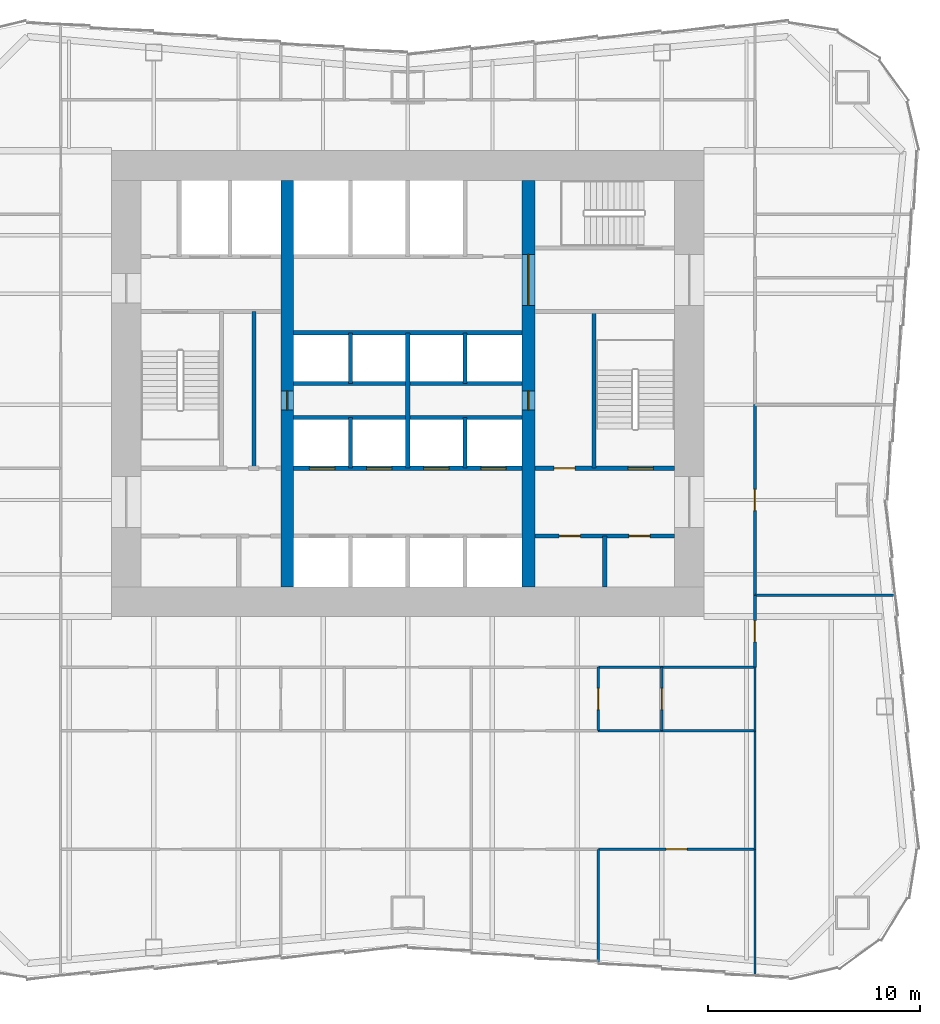
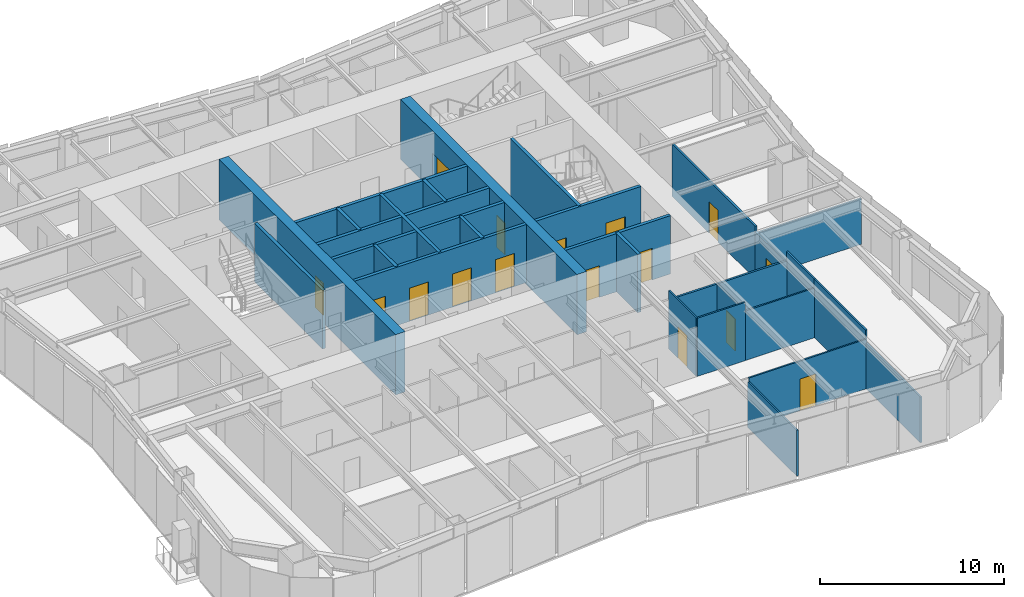
# One storey, part 5 of 9: 30 walls, 16 doors, 16 openings.
"""IFC4 building model written with IfcOpenShell, lengths in metres."""

from ifc_helpers import new_model, si_unit, direction, frame, frame_2d, origin, place, context, subcontext, project, spatial, rectangle, extrude, material, layer, layer_set, type_object, element, fill, save


model = new_model("IFC4")

# Units and contexts
model_context = context("Model", 3, precision=1e-05, world=origin(), true_north=direction((0.0, 1.0)))
body_context = subcontext(model_context, "Body", "Model", "MODEL_VIEW")
ifc_project = project(units=[si_unit("LENGTHUNIT", "METRE"), si_unit("AREAUNIT", "SQUARE_METRE"), si_unit("VOLUMEUNIT", "CUBIC_METRE"), si_unit("PLANEANGLEUNIT", "RADIAN"), si_unit("MASSUNIT", "GRAM", prefix="KILO")], contexts=[model_context])

# Site, building, storey
site_placement = place(None, origin())
site = spatial("IfcSite", under=ifc_project, at=site_placement, CompositionType="ELEMENT")
building_placement = place(site_placement, origin())
building = spatial("IfcBuilding", under=site, at=building_placement, Name="Verdant Reach Tower", CompositionType="ELEMENT")
storey_placement = place(building_placement, frame((0.0, 0.0, 34.0)))
storey = spatial("IfcBuildingStorey", under=building, at=storey_placement, Name="L07", CompositionType="ELEMENT", Elevation=34.0)

# Wall, openings, doors
ifc_material_1 = material(Name="Gypsum board on steel studs", Category="steel")
ifc_layer_1 = layer(ifc_material_1, 0.199951171875)
ifc_layer_set_1 = layer_set([ifc_layer_1], Name="CO-WALL-ROOM")
wall_type_1 = type_object("IfcWallType", Name="CO-WALL-ROOM", PredefinedType="PARTITIONING", material=ifc_layer_set_1)
wall_1_placement = place(storey_placement, frame((6.0, 20.800048828125, 0.0), z_axis=(0.0, 0.0, 1.0), x_axis=(1.0, 0.0, 0.0)))
wall_1 = element("IfcWall", 1, at=wall_1_placement, inside=storey, type_object=wall_type_1, Name="Core partition, L07", PredefinedType="PARTITIONING", context=body_context, shape_type="SweptSolid", body=[
    extrude(rectangle(XDim=6.60009765625, YDim=0.199951171875, at=frame_2d((3.300048828125, 0.0))), origin(), (0.0, 0.0, 1.0), 3.8701171875),
])
opening_1_placement = place(wall_1_placement, frame((1.14990234375, 0.0, 0.0)))
opening_1 = element("IfcOpeningElement", 2, at=opening_1_placement, cuts=wall_1, Name="Opening CD", PredefinedType="OPENING", context=body_context, shape_type="SweptSolid", body=[
    extrude(rectangle(XDim=1.0, YDim=2.10009765625, at=frame_2d((0.5, 1.050048828125))), frame((0.0, 0.10986328125, 0.0), z_axis=(0.0, -1.0, 0.0), x_axis=(1.0, 0.0, 0.0)), (0.0, 0.0, 1.0), 0.219970703125),
])
opening_2_placement = place(wall_1_placement, frame((4.449951171875, 0.0, 0.0)))
opening_2 = element("IfcOpeningElement", 3, at=opening_2_placement, cuts=wall_1, Name="Opening CD", PredefinedType="OPENING", context=body_context, shape_type="SweptSolid", body=[
    extrude(rectangle(XDim=1.0, YDim=2.10009765625, at=frame_2d((0.5, 1.050048828125))), frame((0.0, 0.10986328125, 0.0), z_axis=(0.0, -1.0, 0.0), x_axis=(1.0, 0.0, 0.0)), (0.0, 0.0, 1.0), 0.219970703125),
])
ifc_material_2 = material(Name="Timber", Category="wood")
door_type_1 = type_object("IfcDoorType", Name="CO-DOOR-ROOM", OperationType="NOTDEFINED", PredefinedType="DOOR", material=ifc_material_2)
door_1_placement = place(opening_1_placement, origin())
door_1 = element("IfcDoor", 4, at=door_1_placement, inside=storey, type_object=door_type_1, Name="Core room door, L07", OperationType="SINGLE_SWING_LEFT", OverallHeight=2.10009765625, OverallWidth=1.0, PredefinedType="DOOR", context=body_context, shape_type="SweptSolid", body=[
    extrude(rectangle(XDim=1.0, YDim=2.10009765625, at=frame_2d((0.5, 1.050048828125))), frame((0.0, 0.02490234375, 0.0), z_axis=(0.0, -1.0, 0.0), x_axis=(1.0, 0.0, 0.0)), (0.0, 0.0, 1.0), 0.050048828125),
])
fill(opening_1, door_1)
door_2_placement = place(opening_2_placement, origin())
door_2 = element("IfcDoor", 5, at=door_2_placement, inside=storey, type_object=door_type_1, Name="Core room door, L07", OperationType="SINGLE_SWING_LEFT", OverallHeight=2.10009765625, OverallWidth=1.0, PredefinedType="DOOR", context=body_context, shape_type="SweptSolid", body=[
    extrude(rectangle(XDim=1.0, YDim=2.10009765625, at=frame_2d((0.5, 1.050048828125))), frame((0.0, 0.02490234375, 0.0), z_axis=(0.0, -1.0, 0.0), x_axis=(1.0, 0.0, 0.0)), (0.0, 0.0, 1.0), 0.050048828125),
])
fill(opening_2, door_2)

# Walls
wall_2_placement = place(storey_placement, frame((-7.260009765625, 24.0, 0.0), z_axis=(0.0, 0.0, 1.0), x_axis=(0.0, 1.0, 0.0)))
element("IfcWall", 6, at=wall_2_placement, inside=storey, type_object=wall_type_1, Name="Core partition, L07", PredefinedType="PARTITIONING", context=body_context, shape_type="SweptSolid", body=[
    extrude(rectangle(XDim=7.39990234375, YDim=0.199951171875, at=frame_2d((3.699951171875, 0.0))), origin(), (0.0, 0.0, 1.0), 3.8701171875),
])
wall_3_placement = place(storey_placement, frame((9.300048828125, 18.39990234375, 0.0), z_axis=(0.0, 0.0, 1.0), x_axis=(0.0, 1.0, 0.0)))
element("IfcWall", 7, at=wall_3_placement, inside=storey, type_object=wall_type_1, Name="Core partition, L07", PredefinedType="PARTITIONING", context=body_context, shape_type="SweptSolid", body=[
    extrude(rectangle(XDim=2.400146484375, YDim=0.199951171875, at=frame_2d((1.2001953125, 0.0))), origin(), (0.0, 0.0, 1.0), 3.8701171875),
])

# Wall, openings, doors
ifc_material_3 = material(Name="Concrete C40/50", Category="concrete")
ifc_layer_2 = layer(ifc_material_3, 0.199951171875)
ifc_layer_set_2 = layer_set([ifc_layer_2], Name="CO-WALL-SHAFT")
wall_type_2 = type_object("IfcWallType", Name="CO-WALL-SHAFT", PredefinedType="PARTITIONING", material=ifc_layer_set_2)
wall_4_placement = place(storey_placement, frame((-5.39990234375, 24.0, 0.0), z_axis=(0.0, 0.0, 1.0), x_axis=(1.0, 0.0, 0.0)))
wall_4 = element("IfcWall", 8, at=wall_4_placement, inside=storey, type_object=wall_type_2, Name="Lift shaft wall, L07", PredefinedType="PARTITIONING", context=body_context, shape_type="SweptSolid", body=[
    extrude(rectangle(XDim=10.7998046875, YDim=0.199951171875, at=frame_2d((5.39990234375, 0.0))), origin(), (0.0, 0.0, 1.0), 3.8701171875),
])
opening_3_placement = place(wall_4_placement, frame((0.75, 0.0, 0.0)))
opening_3 = element("IfcOpeningElement", 9, at=opening_3_placement, cuts=wall_4, Name="Opening LD-A5", PredefinedType="OPENING", context=body_context, shape_type="SweptSolid", body=[
    extrude(rectangle(XDim=1.199951171875, YDim=2.199951171875, at=frame_2d((0.60009765625, 1.10009765625))), frame((0.0, 0.10986328125, 0.0), z_axis=(0.0, -1.0, 0.0), x_axis=(1.0, 0.0, 0.0)), (0.0, 0.0, 1.0), 0.219970703125),
])
opening_4_placement = place(wall_4_placement, frame((3.449951171875, 0.0, 0.0)))
opening_4 = element("IfcOpeningElement", 10, at=opening_4_placement, cuts=wall_4, Name="Opening LD-A6", PredefinedType="OPENING", context=body_context, shape_type="SweptSolid", body=[
    extrude(rectangle(XDim=1.199951171875, YDim=2.199951171875, at=frame_2d((0.60009765625, 1.10009765625))), frame((0.0, 0.10986328125, 0.0), z_axis=(0.0, -1.0, 0.0), x_axis=(1.0, 0.0, 0.0)), (0.0, 0.0, 1.0), 0.219970703125),
])
opening_5_placement = place(wall_4_placement, frame((6.14990234375, 0.0, 0.0)))
opening_5 = element("IfcOpeningElement", 11, at=opening_5_placement, cuts=wall_4, Name="Opening LD-A7", PredefinedType="OPENING", context=body_context, shape_type="SweptSolid", body=[
    extrude(rectangle(XDim=1.199951171875, YDim=2.199951171875, at=frame_2d((0.60009765625, 1.10009765625))), frame((0.0, 0.10986328125, 0.0), z_axis=(0.0, -1.0, 0.0), x_axis=(1.0, 0.0, 0.0)), (0.0, 0.0, 1.0), 0.219970703125),
])
opening_6_placement = place(wall_4_placement, frame((8.85009765625, 0.0, 0.0)))
opening_6 = element("IfcOpeningElement", 12, at=opening_6_placement, cuts=wall_4, Name="Opening LD-A8", PredefinedType="OPENING", context=body_context, shape_type="SweptSolid", body=[
    extrude(rectangle(XDim=1.199951171875, YDim=2.199951171875, at=frame_2d((0.60009765625, 1.10009765625))), frame((0.0, 0.10986328125, 0.0), z_axis=(0.0, -1.0, 0.0), x_axis=(1.0, 0.0, 0.0)), (0.0, 0.0, 1.0), 0.219970703125),
])
ifc_material_4 = material(Name="Stainless steel", Category="steel")
door_type_2 = type_object("IfcDoorType", Name="CO-DOOR-LANDING", OperationType="SLIDING_TO_LEFT", PredefinedType="DOOR", material=ifc_material_4)
door_3_placement = place(opening_3_placement, origin())
door_3 = element("IfcDoor", 13, at=door_3_placement, inside=storey, type_object=door_type_2, Name="Landing door A5, L07", OperationType="SLIDING_TO_LEFT", OverallHeight=2.199951171875, OverallWidth=1.199951171875, PredefinedType="DOOR", context=body_context, shape_type="SweptSolid", body=[
    extrude(rectangle(XDim=1.199951171875, YDim=2.199951171875, at=frame_2d((0.60009765625, 1.10009765625))), frame((0.0, 0.02490234375, 0.0), z_axis=(0.0, -1.0, 0.0), x_axis=(1.0, 0.0, 0.0)), (0.0, 0.0, 1.0), 0.050048828125),
])
fill(opening_3, door_3)
door_4_placement = place(opening_4_placement, origin())
door_4 = element("IfcDoor", 14, at=door_4_placement, inside=storey, type_object=door_type_2, Name="Landing door A6, L07", OperationType="SLIDING_TO_LEFT", OverallHeight=2.199951171875, OverallWidth=1.199951171875, PredefinedType="DOOR", context=body_context, shape_type="SweptSolid", body=[
    extrude(rectangle(XDim=1.199951171875, YDim=2.199951171875, at=frame_2d((0.60009765625, 1.10009765625))), frame((0.0, 0.02490234375, 0.0), z_axis=(0.0, -1.0, 0.0), x_axis=(1.0, 0.0, 0.0)), (0.0, 0.0, 1.0), 0.050048828125),
])
fill(opening_4, door_4)
door_5_placement = place(opening_5_placement, origin())
door_5 = element("IfcDoor", 15, at=door_5_placement, inside=storey, type_object=door_type_2, Name="Landing door A7, L07", OperationType="SLIDING_TO_LEFT", OverallHeight=2.199951171875, OverallWidth=1.199951171875, PredefinedType="DOOR", context=body_context, shape_type="SweptSolid", body=[
    extrude(rectangle(XDim=1.199951171875, YDim=2.199951171875, at=frame_2d((0.60009765625, 1.10009765625))), frame((0.0, 0.02490234375, 0.0), z_axis=(0.0, -1.0, 0.0), x_axis=(1.0, 0.0, 0.0)), (0.0, 0.0, 1.0), 0.050048828125),
])
fill(opening_5, door_5)
door_6_placement = place(opening_6_placement, origin())
door_6 = element("IfcDoor", 16, at=door_6_placement, inside=storey, type_object=door_type_2, Name="Landing door A8, L07", OperationType="SLIDING_TO_LEFT", OverallHeight=2.199951171875, OverallWidth=1.199951171875, PredefinedType="DOOR", context=body_context, shape_type="SweptSolid", body=[
    extrude(rectangle(XDim=1.199951171875, YDim=2.199951171875, at=frame_2d((0.60009765625, 1.10009765625))), frame((0.0, 0.02490234375, 0.0), z_axis=(0.0, -1.0, 0.0), x_axis=(1.0, 0.0, 0.0)), (0.0, 0.0, 1.0), 0.050048828125),
])
fill(opening_6, door_6)

# Walls
for number, where, z_axis, x_axis, name in (
    (17, (-5.39990234375, 26.39990234375, 0.0), (0.0, 0.0, 1.0), (1.0, 0.0, 0.0), "Lift shaft wall, L07"),
    (18, (-5.39990234375, 28.0, 0.0), (0.0, 0.0, 1.0), (1.0, 0.0, 0.0), "Lift shaft wall, L07"),
    (19, (-5.39990234375, 30.39990234375, 0.0), (0.0, 0.0, 1.0), (1.0, 0.0, 0.0), "Lift shaft wall, L07"),
):
    element("IfcWall", number, at=place(storey_placement, frame(where, z_axis=z_axis, x_axis=x_axis)), inside=storey, type_object=wall_type_2, Name=name, PredefinedType="PARTITIONING", context=body_context, shape_type="SweptSolid", body=[
        extrude(rectangle(XDim=10.7998046875, YDim=0.199951171875, at=frame_2d((5.39990234375, 0.0))), origin(), (0.0, 0.0, 1.0), 3.8701171875),
    ])
for number, where, z_axis, x_axis, name in (
    (20, (-2.699951171875, 24.0, 0.0), (0.0, 0.0, 1.0), (0.0, 1.0, 0.0), "Lift shaft wall, L07"),
    (21, (-2.699951171875, 28.0, 0.0), (0.0, 0.0, 1.0), (0.0, 1.0, 0.0), "Lift shaft wall, L07"),
):
    element("IfcWall", number, at=place(storey_placement, frame(where, z_axis=z_axis, x_axis=x_axis)), inside=storey, type_object=wall_type_2, Name=name, PredefinedType="PARTITIONING", context=body_context, shape_type="SweptSolid", body=[
        extrude(rectangle(XDim=2.39990234375, YDim=0.199951171875, at=frame_2d((1.199951171875, 0.0))), origin(), (0.0, 0.0, 1.0), 3.8701171875),
    ])
wall_5_placement = place(storey_placement, frame((0.0, 24.0, 0.0), z_axis=(0.0, 0.0, 1.0), x_axis=(0.0, 1.0, 0.0)))
element("IfcWall", 22, at=wall_5_placement, inside=storey, type_object=wall_type_2, Name="Lift shaft wall, L07", PredefinedType="PARTITIONING", context=body_context, shape_type="SweptSolid", body=[
    extrude(rectangle(XDim=6.39990234375, YDim=0.199951171875, at=frame_2d((3.199951171875, 0.0))), origin(), (0.0, 0.0, 1.0), 3.8701171875),
])
for number, where, z_axis, x_axis, name in (
    (23, (2.699951171875, 24.0, 0.0), (0.0, 0.0, 1.0), (0.0, 1.0, 0.0), "Lift shaft wall, L07"),
    (24, (2.699951171875, 28.0, 0.0), (0.0, 0.0, 1.0), (0.0, 1.0, 0.0), "Lift shaft wall, L07"),
):
    element("IfcWall", number, at=place(storey_placement, frame(where, z_axis=z_axis, x_axis=x_axis)), inside=storey, type_object=wall_type_2, Name=name, PredefinedType="PARTITIONING", context=body_context, shape_type="SweptSolid", body=[
        extrude(rectangle(XDim=2.39990234375, YDim=0.199951171875, at=frame_2d((1.199951171875, 0.0))), origin(), (0.0, 0.0, 1.0), 3.8701171875),
    ])

# Wall, openings, doors
ifc_layer_3 = layer(ifc_material_3, 0.199951171875)
ifc_layer_set_3 = layer_set([ifc_layer_3], Name="CO-WALL-STAIR")
wall_type_3 = type_object("IfcWallType", Name="CO-WALL-STAIR", PredefinedType="PARTITIONING", material=ifc_layer_set_3)
wall_6_placement = place(storey_placement, frame((6.0, 24.0, 0.0), z_axis=(0.0, 0.0, 1.0), x_axis=(1.0, 0.0, 0.0)))
wall_6 = element("IfcWall", 25, at=wall_6_placement, inside=storey, type_object=wall_type_3, Name="Stair enclosure wall, L07", PredefinedType="PARTITIONING", context=body_context, shape_type="SweptSolid", body=[
    extrude(rectangle(XDim=6.60009765625, YDim=0.199951171875, at=frame_2d((3.300048828125, 0.0))), origin(), (0.0, 0.0, 1.0), 3.8701171875),
])
opening_7_placement = place(wall_6_placement, frame((0.89990234375, 0.0, 0.0)))
opening_7 = element("IfcOpeningElement", 26, at=opening_7_placement, cuts=wall_6, Name="Opening CD", PredefinedType="OPENING", context=body_context, shape_type="SweptSolid", body=[
    extrude(rectangle(XDim=1.0, YDim=2.10009765625, at=frame_2d((0.5, 1.050048828125))), frame((0.0, 0.10986328125, 0.0), z_axis=(0.0, -1.0, 0.0), x_axis=(1.0, 0.0, 0.0)), (0.0, 0.0, 1.0), 0.219970703125),
])
opening_8_placement = place(wall_6_placement, frame((4.39990234375, 0.0, 0.0)))
opening_8 = element("IfcOpeningElement", 27, at=opening_8_placement, cuts=wall_6, Name="Opening SD", PredefinedType="OPENING", context=body_context, shape_type="SweptSolid", body=[
    extrude(rectangle(XDim=1.199951171875, YDim=2.199951171875, at=frame_2d((0.60009765625, 1.10009765625))), frame((0.0, 0.10986328125, 0.0), z_axis=(0.0, -1.0, 0.0), x_axis=(1.0, 0.0, 0.0)), (0.0, 0.0, 1.0), 0.219970703125),
])
door_7_placement = place(opening_7_placement, origin())
door_7 = element("IfcDoor", 28, at=door_7_placement, inside=storey, type_object=door_type_1, Name="Core room door, L07", OperationType="SINGLE_SWING_RIGHT", OverallHeight=2.10009765625, OverallWidth=1.0, PredefinedType="DOOR", context=body_context, shape_type="SweptSolid", body=[
    extrude(rectangle(XDim=1.0, YDim=2.10009765625, at=frame_2d((0.5, 1.050048828125))), frame((0.0, 0.02490234375, 0.0), z_axis=(0.0, -1.0, 0.0), x_axis=(1.0, 0.0, 0.0)), (0.0, 0.0, 1.0), 0.050048828125),
])
fill(opening_7, door_7)
ifc_material_5 = material(Name="Steel", Category="steel")
door_type_3 = type_object("IfcDoorType", Name="CO-DOOR-STAIR", OperationType="NOTDEFINED", PredefinedType="DOOR", material=ifc_material_5)
door_8_placement = place(opening_8_placement, origin())
door_8 = element("IfcDoor", 29, at=door_8_placement, inside=storey, type_object=door_type_3, Name="Stair door, L07", OperationType="SINGLE_SWING_LEFT", OverallHeight=2.199951171875, OverallWidth=1.199951171875, PredefinedType="DOOR", context=body_context, shape_type="SweptSolid", body=[
    extrude(rectangle(XDim=1.199951171875, YDim=2.199951171875, at=frame_2d((0.60009765625, 1.10009765625))), frame((0.0, 0.02490234375, 0.0), z_axis=(0.0, -1.0, 0.0), x_axis=(1.0, 0.0, 0.0)), (0.0, 0.0, 1.0), 0.050048828125),
])
fill(opening_8, door_8)

# Wall
wall_7_placement = place(storey_placement, frame((8.800048828125, 24.0, 0.0), z_axis=(0.0, 0.0, 1.0), x_axis=(0.0, 1.0, 0.0)))
element("IfcWall", 30, at=wall_7_placement, inside=storey, type_object=wall_type_3, Name="Stair enclosure wall, L07", PredefinedType="PARTITIONING", context=body_context, shape_type="SweptSolid", body=[
    extrude(rectangle(XDim=7.39990234375, YDim=0.199951171875, at=frame_2d((3.699951171875, 0.0))), origin(), (0.0, 0.0, 1.0), 3.8701171875),
])

# Wall, opening, door
ifc_layer_4 = layer(ifc_material_1, 0.10009765625)
ifc_layer_set_4 = layer_set([ifc_layer_4], Name="FL-W1 Partition 100")
wall_type_4 = type_object("IfcWallType", Name="FL-W1 Partition 100", PredefinedType="PARTITIONING", material=ifc_layer_set_4)
wall_8_placement = place(storey_placement, frame((9.0, 14.60009765625, 0.0), z_axis=(0.0, 0.0, 1.0), x_axis=(0.0, -1.0, 0.0)))
wall_8 = element("IfcWall", 31, at=wall_8_placement, inside=storey, type_object=wall_type_4, Name="Partition 07.38", PredefinedType="PARTITIONING", context=body_context, shape_type="SweptSolid", body=[
    extrude(rectangle(XDim=3.0, YDim=0.10009765625, at=frame_2d((1.5, 0.0))), origin(), (0.0, 0.0, 1.0), 3.8701171875),
])
opening_9_placement = place(wall_8_placement, frame((1.0, 0.0, 0.0)))
opening_9 = element("IfcOpeningElement", 32, at=opening_9_placement, cuts=wall_8, Name="Opening D3", PredefinedType="OPENING", context=body_context, shape_type="SweptSolid", body=[
    extrude(rectangle(XDim=1.0, YDim=2.10009765625, at=frame_2d((0.5, 1.050048828125))), frame((0.0, 0.06005859375, 0.0), z_axis=(0.0, -1.0, 0.0), x_axis=(1.0, 0.0, 0.0)), (0.0, 0.0, 1.0), 0.1201171875),
])
ifc_material_6 = material(Name="Painted timber door leaf", Category="wood")
door_type_4 = type_object("IfcDoorType", Name="FL-D3 Door 1000x2100", OperationType="NOTDEFINED", PredefinedType="DOOR", material=ifc_material_6)
door_9_placement = place(opening_9_placement, origin())
door_9 = element("IfcDoor", 33, at=door_9_placement, inside=storey, type_object=door_type_4, Name="Door 07-023", OperationType="SINGLE_SWING_LEFT", OverallHeight=2.10009765625, OverallWidth=1.0, PredefinedType="DOOR", context=body_context, shape_type="SweptSolid", body=[
    extrude(rectangle(XDim=1.0, YDim=2.10009765625, at=frame_2d((0.5, 1.050048828125))), frame((0.0, 0.02490234375, 0.0), z_axis=(0.0, -1.0, 0.0), x_axis=(1.0, 0.0, 0.0)), (0.0, 0.0, 1.0), 0.050048828125),
])
fill(opening_9, door_9)

wall_9_placement = place(storey_placement, frame((12.0, 14.60009765625, 0.0), z_axis=(0.0, 0.0, 1.0), x_axis=(0.0, -1.0, 0.0)))
wall_9 = element("IfcWall", 34, at=wall_9_placement, inside=storey, type_object=wall_type_4, Name="Partition 07.40", PredefinedType="PARTITIONING", context=body_context, shape_type="SweptSolid", body=[
    extrude(rectangle(XDim=3.0, YDim=0.10009765625, at=frame_2d((1.5, 0.0))), origin(), (0.0, 0.0, 1.0), 3.2900390625),
])
opening_10_placement = place(wall_9_placement, frame((1.0, 0.0, 0.0)))
opening_10 = element("IfcOpeningElement", 35, at=opening_10_placement, cuts=wall_9, Name="Opening D3", PredefinedType="OPENING", context=body_context, shape_type="SweptSolid", body=[
    extrude(rectangle(XDim=1.0, YDim=2.10009765625, at=frame_2d((0.5, 1.050048828125))), frame((0.0, 0.06005859375, 0.0), z_axis=(0.0, -1.0, 0.0), x_axis=(1.0, 0.0, 0.0)), (0.0, 0.0, 1.0), 0.1201171875),
])
door_10_placement = place(opening_10_placement, origin())
door_10 = element("IfcDoor", 36, at=door_10_placement, inside=storey, type_object=door_type_4, Name="Door 07-025", OperationType="SINGLE_SWING_LEFT", OverallHeight=2.10009765625, OverallWidth=1.0, PredefinedType="DOOR", context=body_context, shape_type="SweptSolid", body=[
    extrude(rectangle(XDim=1.0, YDim=2.10009765625, at=frame_2d((0.5, 1.050048828125))), frame((0.0, 0.02490234375, 0.0), z_axis=(0.0, -1.0, 0.0), x_axis=(1.0, 0.0, 0.0)), (0.0, 0.0, 1.0), 0.050048828125),
])
fill(opening_10, door_10)

# Walls
wall_10_placement = place(storey_placement, frame((8.99609375, 11.60009765625, 0.0), z_axis=(0.0, 0.0, 1.0), x_axis=(1.0, 0.0, 0.0)))
element("IfcWall", 37, at=wall_10_placement, inside=storey, type_object=wall_type_4, Name="Partition 07.41", PredefinedType="PARTITIONING", context=body_context, shape_type="SweptSolid", body=[
    extrude(rectangle(XDim=3.0078125, YDim=0.10009765625, at=frame_2d((1.50390625, 0.0))), origin(), (0.0, 0.0, 1.0), 3.8701171875),
])
wall_11_placement = place(storey_placement, frame((11.99609375, 11.60009765625, 0.0), z_axis=(0.0, 0.0, 1.0), x_axis=(1.0, 0.0, 0.0)))
element("IfcWall", 38, at=wall_11_placement, inside=storey, type_object=wall_type_4, Name="Partition 07.42", PredefinedType="PARTITIONING", context=body_context, shape_type="SweptSolid", body=[
    extrude(rectangle(XDim=4.40380859375, YDim=0.10009765625, at=frame_2d((2.201904296875, 0.0))), origin(), (0.0, 0.0, 1.0), 3.2900390625),
])
wall_12_placement = place(storey_placement, frame((16.39990234375, 11.595947265625, 0.0), z_axis=(0.0, 0.0, 1.0), x_axis=(0.0, 1.0, 0.0)))
element("IfcWall", 39, at=wall_12_placement, inside=storey, type_object=wall_type_4, Name="Partition 07.43", PredefinedType="PARTITIONING", context=body_context, shape_type="SweptSolid", body=[
    extrude(rectangle(XDim=3.008056640625, YDim=0.10009765625, at=frame_2d((1.50390625, 0.0))), origin(), (0.0, 0.0, 1.0), 3.8701171875),
])

# Wall, opening, door
wall_13_placement = place(storey_placement, frame((16.39990234375, 6.0, 0.0), z_axis=(0.0, 0.0, 1.0), x_axis=(-1.0, 0.0, 0.0)))
wall_13 = element("IfcWall", 40, at=wall_13_placement, inside=storey, type_object=wall_type_4, Name="Partition 07.45", PredefinedType="PARTITIONING", context=body_context, shape_type="SweptSolid", body=[
    extrude(rectangle(XDim=7.39990234375, YDim=0.10009765625, at=frame_2d((3.699951171875, 0.0))), origin(), (0.0, 0.0, 1.0), 3.2900390625),
])
opening_11_placement = place(wall_13_placement, frame((3.199951171875, 0.0, 0.0)))
opening_11 = element("IfcOpeningElement", 41, at=opening_11_placement, cuts=wall_13, Name="Opening D3", PredefinedType="OPENING", context=body_context, shape_type="SweptSolid", body=[
    extrude(rectangle(XDim=1.0, YDim=2.10009765625, at=frame_2d((0.5, 1.050048828125))), frame((0.0, 0.06005859375, 0.0), z_axis=(0.0, -1.0, 0.0), x_axis=(1.0, 0.0, 0.0)), (0.0, 0.0, 1.0), 0.1201171875),
])
door_11_placement = place(opening_11_placement, origin())
door_11 = element("IfcDoor", 42, at=door_11_placement, inside=storey, type_object=door_type_4, Name="Door 07-027", OperationType="SINGLE_SWING_LEFT", OverallHeight=2.10009765625, OverallWidth=1.0, PredefinedType="DOOR", context=body_context, shape_type="SweptSolid", body=[
    extrude(rectangle(XDim=1.0, YDim=2.10009765625, at=frame_2d((0.5, 1.050048828125))), frame((0.0, 0.02490234375, 0.0), z_axis=(0.0, -1.0, 0.0), x_axis=(1.0, 0.0, 0.0)), (0.0, 0.0, 1.0), 0.050048828125),
])
fill(opening_11, door_11)

# Walls
wall_14_placement = place(storey_placement, frame((16.39990234375, 5.99609375, 0.0), z_axis=(0.0, 0.0, 1.0), x_axis=(0.0, 1.0, 0.0)))
element("IfcWall", 43, at=wall_14_placement, inside=storey, type_object=wall_type_4, Name="Partition 07.46", PredefinedType="PARTITIONING", context=body_context, shape_type="SweptSolid", body=[
    extrude(rectangle(XDim=5.60791015625, YDim=0.10009765625, at=frame_2d((2.803955078125, 0.0))), origin(), (0.0, 0.0, 1.0), 3.8701171875),
])
wall_15_placement = place(storey_placement, frame((9.0, 0.669921875, 0.0), z_axis=(0.0, 0.0, 1.0), x_axis=(0.0, 1.0, 0.0)))
element("IfcWall", 44, at=wall_15_placement, inside=storey, type_object=wall_type_4, Name="Partition 07.47", PredefinedType="PARTITIONING", context=body_context, shape_type="SweptSolid", body=[
    extrude(rectangle(XDim=5.330078125, YDim=0.10009765625, at=frame_2d((2.6650390625, 0.0))), origin(), (0.0, 0.0, 1.0), 3.0400390625),
])
wall_16_placement = place(storey_placement, frame((16.39990234375, 0.05322265625, 0.0), z_axis=(0.0, 0.0, 1.0), x_axis=(0.0, 1.0, 0.0)))
element("IfcWall", 45, at=wall_16_placement, inside=storey, type_object=wall_type_4, Name="Partition 07.48", PredefinedType="PARTITIONING", context=body_context, shape_type="SweptSolid", body=[
    extrude(rectangle(XDim=5.95068359375, YDim=0.10009765625, at=frame_2d((2.975341796875, 0.0))), origin(), (0.0, 0.0, 1.0), 3.0400390625),
])
wall_17_placement = place(storey_placement, frame((22.989013671875, 18.0, 0.0), z_axis=(0.0, 0.0, 1.0), x_axis=(-1.0, 0.0, 0.0)))
element("IfcWall", 46, at=wall_17_placement, inside=storey, type_object=wall_type_4, Name="Partition 07.58", PredefinedType="PARTITIONING", context=body_context, shape_type="SweptSolid", body=[
    extrude(rectangle(XDim=6.589111328125, YDim=0.10009765625, at=frame_2d((3.29443359375, 0.0))), origin(), (0.0, 0.0, 1.0), 3.0400390625),
])
ifc_material_7 = material(Name="Gypsum board on steel studs, fire rated", Category="steel")
ifc_layer_5 = layer(ifc_material_7, 0.125)
ifc_layer_set_5 = layer_set([ifc_layer_5], Name="FL-W2 Corridor wall 125")
wall_type_5 = type_object("IfcWallType", Name="FL-W2 Corridor wall 125", PredefinedType="PARTITIONING", material=ifc_layer_set_5)
wall_18_placement = place(storey_placement, frame((9.0, 14.60009765625, 0.0), z_axis=(0.0, 0.0, 1.0), x_axis=(1.0, 0.0, 0.0)))
element("IfcWall", 47, at=wall_18_placement, inside=storey, type_object=wall_type_5, Name="Partition 07.06", PredefinedType="PARTITIONING", context=body_context, shape_type="SweptSolid", body=[
    extrude(rectangle(XDim=3.0, YDim=0.125, at=frame_2d((1.5, 0.0))), origin(), (0.0, 0.0, 1.0), 3.2900390625),
])
wall_19_placement = place(storey_placement, frame((12.0, 14.60009765625, 0.0), z_axis=(0.0, 0.0, 1.0), x_axis=(1.0, 0.0, 0.0)))
element("IfcWall", 48, at=wall_19_placement, inside=storey, type_object=wall_type_5, Name="Partition 07.07", PredefinedType="PARTITIONING", context=body_context, shape_type="SweptSolid", body=[
    extrude(rectangle(XDim=4.39990234375, YDim=0.125, at=frame_2d((2.199951171875, 0.0))), origin(), (0.0, 0.0, 1.0), 3.2900390625),
])

# Wall, opening, door
wall_20_placement = place(storey_placement, frame((16.39990234375, 18.0, 0.0), z_axis=(0.0, 0.0, 1.0), x_axis=(0.0, -1.0, 0.0)))
wall_20 = element("IfcWall", 49, at=wall_20_placement, inside=storey, type_object=wall_type_5, Name="Partition 07.17", PredefinedType="PARTITIONING", context=body_context, shape_type="SweptSolid", body=[
    extrude(rectangle(XDim=3.404052734375, YDim=0.125, at=frame_2d((1.7021484375, 0.0))), origin(), (0.0, 0.0, 1.0), 3.139892578125),
])
opening_12_placement = place(wall_20_placement, frame((1.201904296875, 0.0, 0.0)))
opening_12 = element("IfcOpeningElement", 50, at=opening_12_placement, cuts=wall_20, Name="Opening D2", PredefinedType="OPENING", context=body_context, shape_type="SweptSolid", body=[
    extrude(rectangle(XDim=1.0, YDim=2.10009765625, at=frame_2d((0.5, 1.050048828125))), frame((0.0, 0.072509765625, 0.0), z_axis=(0.0, -1.0, 0.0), x_axis=(1.0, 0.0, 0.0)), (0.0, 0.0, 1.0), 0.14501953125),
])
ifc_material_8 = material(Name="Timber door leaf, fire rated", Category="wood")
door_type_5 = type_object("IfcDoorType", Name="FL-D2 Entrance door 1000x2100 FD30", OperationType="NOTDEFINED", PredefinedType="DOOR", material=ifc_material_8)
door_12_placement = place(opening_12_placement, origin())
door_12 = element("IfcDoor", 51, at=door_12_placement, inside=storey, type_object=door_type_5, Name="Door 07-013", OperationType="SINGLE_SWING_LEFT", OverallHeight=2.10009765625, OverallWidth=1.0, PredefinedType="DOOR", context=body_context, shape_type="SweptSolid", body=[
    extrude(rectangle(XDim=1.0, YDim=2.10009765625, at=frame_2d((0.5, 1.050048828125))), frame((0.0, 0.02490234375, 0.0), z_axis=(0.0, -1.0, 0.0), x_axis=(1.0, 0.0, 0.0)), (0.0, 0.0, 1.0), 0.050048828125),
])
fill(opening_12, door_12)

wall_21_placement = place(storey_placement, frame((16.39990234375, 27.0, 0.0), z_axis=(0.0, 0.0, 1.0), x_axis=(0.0, -1.0, 0.0)))
wall_21 = element("IfcWall", 52, at=wall_21_placement, inside=storey, type_object=wall_type_5, Name="Partition 07.18", PredefinedType="PARTITIONING", context=body_context, shape_type="SweptSolid", body=[
    extrude(rectangle(XDim=9.0, YDim=0.125, at=frame_2d((4.5, 0.0))), origin(), (0.0, 0.0, 1.0), 3.47998046875),
])
opening_13_placement = place(wall_21_placement, frame((4.0, 0.0, 0.0)))
opening_13 = element("IfcOpeningElement", 53, at=opening_13_placement, cuts=wall_21, Name="Opening D2", PredefinedType="OPENING", context=body_context, shape_type="SweptSolid", body=[
    extrude(rectangle(XDim=1.0, YDim=2.10009765625, at=frame_2d((0.5, 1.050048828125))), frame((0.0, 0.072509765625, 0.0), z_axis=(0.0, -1.0, 0.0), x_axis=(1.0, 0.0, 0.0)), (0.0, 0.0, 1.0), 0.14501953125),
])
door_13_placement = place(opening_13_placement, origin())
door_13 = element("IfcDoor", 54, at=door_13_placement, inside=storey, type_object=door_type_5, Name="Door 07-014", OperationType="SINGLE_SWING_RIGHT", OverallHeight=2.10009765625, OverallWidth=1.0, PredefinedType="DOOR", context=body_context, shape_type="SweptSolid", body=[
    extrude(rectangle(XDim=1.0, YDim=2.10009765625, at=frame_2d((0.5, 1.050048828125))), frame((0.0, 0.02490234375, 0.0), z_axis=(0.0, -1.0, 0.0), x_axis=(1.0, 0.0, 0.0)), (0.0, 0.0, 1.0), 0.050048828125),
])
fill(opening_13, door_13)

ifc_material_9 = material(Name="Concrete C70/85", Category="concrete")
ifc_layer_6 = layer(ifc_material_9, 0.60009765625)
ifc_layer_set_6 = layer_set([ifc_layer_6], Name="ST-CORE-WALL-600")
wall_type_6 = type_object("IfcWallType", Name="ST-CORE-WALL-600", PredefinedType="SHEAR", material=ifc_layer_set_6)
wall_22_placement = place(storey_placement, frame((-5.699951171875, 18.39990234375, -0.1298828125), z_axis=(0.0, 0.0, 1.0), x_axis=(0.0, 1.0, 0.0)))
wall_22 = element("IfcWall", 55, at=wall_22_placement, inside=storey, type_object=wall_type_6, Name="Core wall XW, L07", PredefinedType="SHEAR", context=body_context, shape_type="SweptSolid", body=[
    extrude(rectangle(XDim=19.2001953125, YDim=0.60009765625, at=frame_2d((9.60009765625, 0.0))), origin(), (0.0, 0.0, 1.0), 4.0),
])
opening_14_placement = place(wall_22_placement, frame((8.35009765625, 0.0, 0.1298828125)))
opening_14 = element("IfcOpeningElement", 56, at=opening_14_placement, cuts=wall_22, Name="Opening RD", PredefinedType="OPENING", context=body_context, shape_type="SweptSolid", body=[
    extrude(rectangle(XDim=0.89990234375, YDim=2.10009765625, at=frame_2d((0.449951171875, 1.050048828125))), frame((0.0, 0.31005859375, 0.0), z_axis=(0.0, -1.0, 0.0), x_axis=(1.0, 0.0, 0.0)), (0.0, 0.0, 1.0), 0.6201171875),
])
door_type_6 = type_object("IfcDoorType", Name="CO-DOOR-RISER", OperationType="NOTDEFINED", PredefinedType="DOOR", material=ifc_material_5)
door_14_placement = place(opening_14_placement, origin())
door_14 = element("IfcDoor", 57, at=door_14_placement, inside=storey, type_object=door_type_6, Name="Riser door, L07", OperationType="SINGLE_SWING_LEFT", OverallHeight=2.10009765625, OverallWidth=0.89990234375, PredefinedType="DOOR", context=body_context, shape_type="SweptSolid", body=[
    extrude(rectangle(XDim=0.89990234375, YDim=2.10009765625, at=frame_2d((0.449951171875, 1.050048828125))), frame((0.0, 0.02490234375, 0.0), z_axis=(0.0, -1.0, 0.0), x_axis=(1.0, 0.0, 0.0)), (0.0, 0.0, 1.0), 0.050048828125),
])
fill(opening_14, door_14)

# Wall, openings, doors
wall_23_placement = place(storey_placement, frame((5.699951171875, 18.39990234375, -0.1298828125), z_axis=(0.0, 0.0, 1.0), x_axis=(0.0, 1.0, 0.0)))
wall_23 = element("IfcWall", 58, at=wall_23_placement, inside=storey, type_object=wall_type_6, Name="Core wall XE, L07", PredefinedType="SHEAR", context=body_context, shape_type="SweptSolid", body=[
    extrude(rectangle(XDim=19.2001953125, YDim=0.60009765625, at=frame_2d((9.60009765625, 0.0))), origin(), (0.0, 0.0, 1.0), 4.0),
])
opening_15_placement = place(wall_23_placement, frame((8.35009765625, 0.0, 0.1298828125)))
opening_15 = element("IfcOpeningElement", 59, at=opening_15_placement, cuts=wall_23, Name="Opening RD", PredefinedType="OPENING", context=body_context, shape_type="SweptSolid", body=[
    extrude(rectangle(XDim=0.89990234375, YDim=2.10009765625, at=frame_2d((0.449951171875, 1.050048828125))), frame((0.0, 0.31005859375, 0.0), z_axis=(0.0, -1.0, 0.0), x_axis=(1.0, 0.0, 0.0)), (0.0, 0.0, 1.0), 0.6201171875),
])
opening_16_placement = place(wall_23_placement, frame((13.300048828125, 0.0, 0.1298828125)))
opening_16 = element("IfcOpeningElement", 60, at=opening_16_placement, cuts=wall_23, Name="Opening LB", PredefinedType="OPENING", context=body_context, shape_type="SweptSolid", body=[
    extrude(rectangle(XDim=2.39990234375, YDim=2.39990234375, at=frame_2d((1.199951171875, 1.199951171875))), frame((0.0, 0.31005859375, 0.0), z_axis=(0.0, -1.0, 0.0), x_axis=(1.0, 0.0, 0.0)), (0.0, 0.0, 1.0), 0.6201171875),
])
ifc_material_10 = material(Name="Glass and steel", Category="steel")
door_type_7 = type_object("IfcDoorType", Name="CO-DOOR-LOBBY", OperationType="DOUBLE_DOOR_SINGLE_SWING", PredefinedType="DOOR", material=ifc_material_10)
door_15_placement = place(opening_16_placement, origin())
door_15 = element("IfcDoor", 61, at=door_15_placement, inside=storey, type_object=door_type_7, Name="Core entrance door, L07", OperationType="DOUBLE_DOOR_SINGLE_SWING", OverallHeight=2.39990234375, OverallWidth=2.39990234375, PredefinedType="DOOR", context=body_context, shape_type="SweptSolid", body=[
    extrude(rectangle(XDim=2.39990234375, YDim=2.39990234375, at=frame_2d((1.199951171875, 1.199951171875))), frame((0.0, 0.02490234375, 0.0), z_axis=(0.0, -1.0, 0.0), x_axis=(1.0, 0.0, 0.0)), (0.0, 0.0, 1.0), 0.050048828125),
])
fill(opening_16, door_15)
door_16_placement = place(opening_15_placement, origin())
door_16 = element("IfcDoor", 62, at=door_16_placement, inside=storey, type_object=door_type_6, Name="Riser door, L07", OperationType="SINGLE_SWING_RIGHT", OverallHeight=2.10009765625, OverallWidth=0.89990234375, PredefinedType="DOOR", context=body_context, shape_type="SweptSolid", body=[
    extrude(rectangle(XDim=0.89990234375, YDim=2.10009765625, at=frame_2d((0.449951171875, 1.050048828125))), frame((0.0, 0.02490234375, 0.0), z_axis=(0.0, -1.0, 0.0), x_axis=(1.0, 0.0, 0.0)), (0.0, 0.0, 1.0), 0.050048828125),
])
fill(opening_15, door_16)

save(model, "model.ifc")
